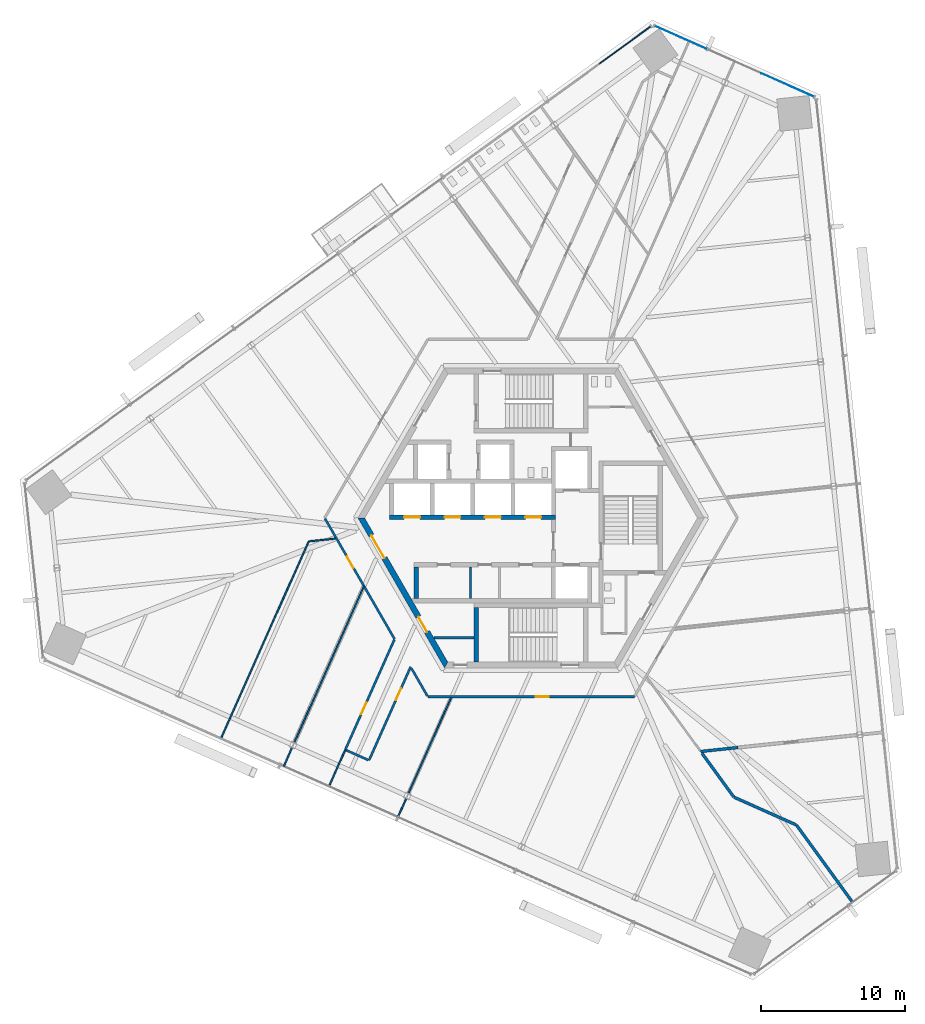
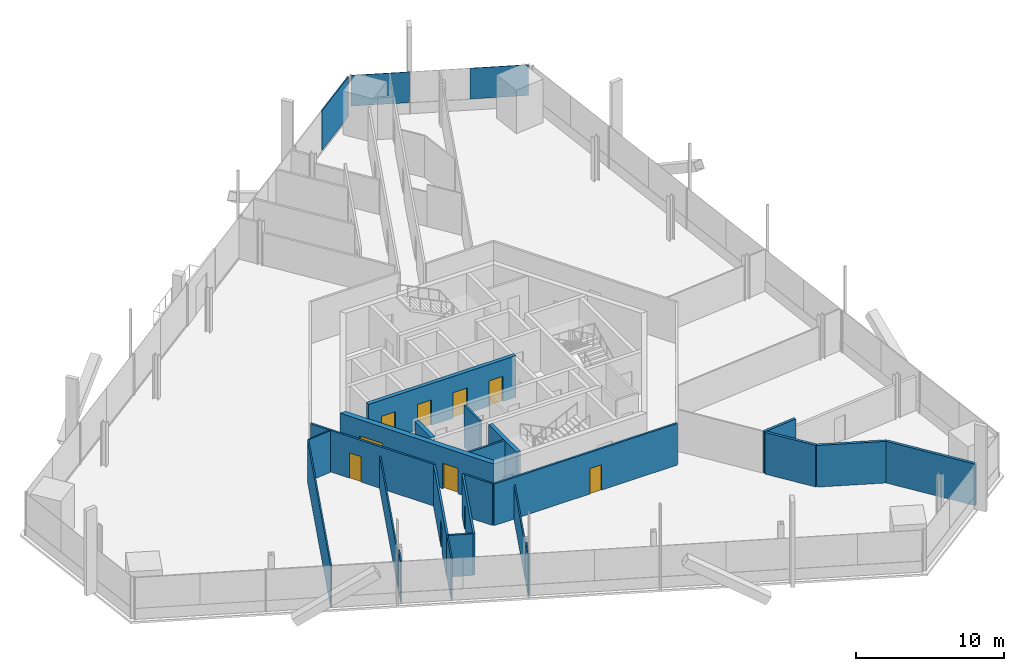
# One storey, part 11 of 21: 23 walls, 10 doors, 3 plates, 10 openings, 2 elements without a shape of their own.
"""IFC4 building model written with IfcOpenShell, lengths in metres."""

from ifc_helpers import new_model, si_unit, direction, frame, frame_2d, origin, origin_2d, place, context, subcontext, project, spatial, polyline, rectangle, outline, extrude, source, transform, mapped, material, layer, layer_set, type_object, element, fill, aggregate, save


model = new_model("IFC4")

# Units and contexts
model_context = context("Model", 3, precision=1e-05, world=origin(), true_north=direction((0.0, 1.0)))
body_context = subcontext(model_context, "Body", "Model", "MODEL_VIEW")
ifc_project = project(units=[si_unit("LENGTHUNIT", "METRE"), si_unit("AREAUNIT", "SQUARE_METRE"), si_unit("VOLUMEUNIT", "CUBIC_METRE"), si_unit("PLANEANGLEUNIT", "RADIAN"), si_unit("MASSUNIT", "GRAM", prefix="KILO")], contexts=[model_context])

# Site, building, storey
site_placement = place(None, origin())
site = spatial("IfcSite", under=ifc_project, at=site_placement, CompositionType="ELEMENT")
building_placement = place(site_placement, origin())
building = spatial("IfcBuilding", under=site, at=building_placement, Name="Triune Harvest Tower", CompositionType="ELEMENT")
storey_placement = place(building_placement, frame((0.0, 0.0, 65.699951171875)))
storey = spatial("IfcBuildingStorey", under=building, at=storey_placement, Name="L15", CompositionType="ELEMENT", Elevation=65.699951171875)

# Curtain wall, plates
ifc_material_1 = material(Name="Aluminium bronze anodised", Category="aluminium")
curtain_wall_type_1 = type_object("IfcCurtainWallType", Name="CW-1 Tower stick curtain wall", PredefinedType="NOTDEFINED", material=ifc_material_1)
curtain_wall_1_placement = place(storey_placement, origin())
curtain_wall_1 = element("IfcCurtainWall", 1, at=curtain_wall_1_placement, inside=storey, type_object=curtain_wall_type_1, Name="CW-1 B2-F2 L15 run 1")
ifc_material_2 = material(Name="Glass", Category="glass")
ifc_layer_1 = layer(ifc_material_2, 0.031982421875)
ifc_layer_set_1 = layer_set([ifc_layer_1], Name="Glass")
plate_type_1 = type_object("IfcPlateType", Name="GL-1 panel 32", PredefinedType="CURTAIN_PANEL", material=ifc_layer_set_1)
shared_shape_1 = source(origin(), body_context, "Body", "SweptSolid", [
    extrude(rectangle(XDim=3.99853515625, YDim=0.031982421875, at=origin_2d()), origin(), (0.0, 0.0, 1.0), 2.5400390625),
])
plate_1_placement = place(storey_placement, frame((17.783203125, 30.018798828125, 0.900146484375), z_axis=(0.0, 0.0, 1.0), x_axis=(-0.913546644034, 0.406733978386, 0.0)))
plate_1 = element("IfcPlate", 2, at=plate_1_placement, type_object=plate_type_1, Name="CW-1 panel B2-F2 1.1", PredefinedType="CURTAIN_PANEL", context=body_context, shape_type="MappedRepresentation", body=[
    mapped(shared_shape_1, transform((0.0, 0.0, 0.0), scale=1.0)),
])
shared_shape_2 = source(origin(), body_context, "Body", "SweptSolid", [
    extrude(rectangle(XDim=3.9609375, YDim=0.031982421875, at=origin_2d()), origin(), (0.0, 0.0, 1.0), 2.5400390625),
])
plate_2_placement = place(storey_placement, frame((10.39208984375, 33.3095703125, 0.900146484375), z_axis=(0.0, 0.0, 1.0), x_axis=(-0.913546644034, 0.406733978386, 0.0)))
plate_2 = element("IfcPlate", 3, at=plate_2_placement, type_object=plate_type_1, Name="CW-1 panel B2-F2 1.3", PredefinedType="CURTAIN_PANEL", context=body_context, shape_type="MappedRepresentation", body=[
    mapped(shared_shape_2, transform((0.0, 0.0, 0.0), scale=1.0)),
])
aggregate(curtain_wall_1, [plate_1, plate_2])

# Curtain wall, plate
ifc_material_3 = material(Name="Aluminium bronze anodised", Category="aluminium")
curtain_wall_type_2 = type_object("IfcCurtainWallType", Name="CW-10 Balcony window wall with insulated spandrel infill", PredefinedType="NOTDEFINED", material=ifc_material_3)
curtain_wall_2_placement = place(storey_placement, origin())
curtain_wall_2 = element("IfcCurtainWall", 4, at=curtain_wall_2_placement, inside=storey, type_object=curtain_wall_type_2, Name="CW-10 B2-F3 L15 run 1")
ifc_material_4 = material(Name="Insulated spandrel panel, bronze aluminium pan", Category="aluminium")
ifc_layer_2 = layer(ifc_material_4, 0.080078125)
ifc_layer_set_2 = layer_set([ifc_layer_2], Name="Insulated spandrel panel, bronze aluminium pan")
plate_type_2 = type_object("IfcPlateType", Name="SP-1 insulated spandrel panel 80", PredefinedType="CURTAIN_PANEL", material=ifc_layer_set_2)
shared_shape_3 = source(origin(), body_context, "Body", "SweptSolid", [
    extrude(rectangle(XDim=4.392578125, YDim=0.080078125, at=origin_2d()), origin(), (0.0, 0.0, 1.0), 3.2900390625),
])
plate_3_placement = place(storey_placement, frame((6.521728515625, 32.794189453125, 0.150146484375), z_axis=(0.0, 0.0, 1.0), x_axis=(-0.809017213554, -0.587784950618, 0.0)))
plate_3 = element("IfcPlate", 5, at=plate_3_placement, type_object=plate_type_2, Name="CW-10 panel B2-F3 1.1", PredefinedType="CURTAIN_PANEL", context=body_context, shape_type="MappedRepresentation", body=[
    mapped(shared_shape_3, transform((0.0, 0.0, 0.0), scale=1.0)),
])
aggregate(curtain_wall_2, [plate_3])

# Walls
ifc_material_5 = material(Name="Gypsum board on steel studs", Category="steel")
ifc_layer_3 = layer(ifc_material_5, 0.199951171875)
ifc_layer_set_3 = layer_set([ifc_layer_3], Name="Gypsum board on steel studs")
wall_type_1 = type_object("IfcWallType", Name="Fire Wall 200 mm", PredefinedType="PARTITIONING", material=ifc_layer_set_3)
wall_1_placement = place(storey_placement, frame((18.39404296875, -21.2802734375, 0.0), z_axis=(0.0, 0.0, 1.0), x_axis=(0.587779631491, -0.809021078096, 0.0)))
element("IfcWall", 6, at=wall_1_placement, inside=storey, type_object=wall_type_1, Name="Partition L15 007", PredefinedType="PARTITIONING", context=body_context, shape_type="SweptSolid", body=[
    extrude(rectangle(XDim=6.628662109375, YDim=0.199951171875, at=frame_2d((3.314453125, 0.0))), origin(), (0.0, 0.0, 1.0), 3.43994140625),
])
wall_2_placement = place(storey_placement, frame((14.05859375, -19.349853515625, 0.0), z_axis=(0.0, 0.0, 1.0), x_axis=(0.913535942724, -0.40675801326, 0.0)))
element("IfcWall", 7, at=wall_2_placement, inside=storey, type_object=wall_type_1, Name="Partition L15 017", PredefinedType="PARTITIONING", context=body_context, shape_type="SweptSolid", body=[
    extrude(rectangle(XDim=4.7158203125, YDim=0.199951171875, at=frame_2d((2.35791015625, 0.0))), origin(), (0.0, 0.0, 1.0), 3.43994140625),
])
ifc_material_6 = material(Name="Gypsum board on steel studs", Category="steel")
ifc_layer_4 = layer(ifc_material_6, 0.10009765625)
ifc_layer_set_4 = layer_set([ifc_layer_4], Name="Gypsum board on steel studs")
wall_type_2 = type_object("IfcWallType", Name="Partition 100 mm", PredefinedType="PARTITIONING", material=ifc_layer_set_4)
wall_3_placement = place(storey_placement, frame((-15.398681640625, -1.618408203125, 0.0), z_axis=(0.0, 0.0, 1.0), x_axis=(0.994523629402, 0.104511963725, 0.0)))
element("IfcWall", 8, at=wall_3_placement, inside=storey, type_object=wall_type_2, Name="Partition L15 026", PredefinedType="PARTITIONING", context=body_context, shape_type="SweptSolid", body=[
    extrude(rectangle(XDim=1.83837890625, YDim=0.10009765625, at=frame_2d((0.919189453125, 0.0))), origin(), (0.0, 0.0, 1.0), 3.43994140625),
])
wall_4_placement = place(storey_placement, frame((-21.497802734375, -15.2744140625, 0.0), z_axis=(0.0, 0.0, 1.0), x_axis=(0.406738559064, 0.913544604587, 0.0)))
element("IfcWall", 9, at=wall_4_placement, inside=storey, type_object=wall_type_2, Name="Partition L15 045", PredefinedType="PARTITIONING", context=body_context, shape_type="SweptSolid", body=[
    extrude(rectangle(XDim=14.946044921875, YDim=0.10009765625, at=frame_2d((7.47314453125, 0.0))), origin(), (0.0, 0.0, 1.0), 3.43994140625),
])

# Wall, openings, doors
ifc_material_7 = material(Name="Concrete 70 MPa", Category="concrete")
ifc_layer_5 = layer(ifc_material_7, 0.39990234375)
ifc_layer_set_5 = layer_set([ifc_layer_5], Name="Concrete 70 MPa")
wall_type_3 = type_object("IfcWallType", Name="Core wall 400", PredefinedType="SHEAR", material=ifc_layer_set_5)
shared_shape_4 = source(origin(), body_context, "Body", "SweptSolid", [
    extrude(outline(polyline([(-0.115478515625, -0.199951171875), (11.884521484375, -0.199951171875), (11.653564453125, 0.199951171875), (0.115478515625, 0.199951171875), (-0.115478515625, -0.199951171875)])), origin(), (0.0, 0.0, 1.0), 3.43994140625),
])
wall_5_placement = place(storey_placement, frame((-11.76904296875, 0.0, 0.0), z_axis=(0.0, 0.0, 1.0), x_axis=(0.499996592174, -0.866027371285, 0.0)))
wall_5 = element("IfcWall", 10, at=wall_5_placement, inside=storey, type_object=wall_type_3, Name="Hexagon 3 wall", PredefinedType="SHEAR", context=body_context, shape_type="MappedRepresentation", body=[
    mapped(shared_shape_4, transform((0.0, 0.0, 0.0), scale=1.0)),
])
opening_1_placement = place(wall_5_placement, frame((1.404541015625, 0.0, 0.0)))
opening_1 = element("IfcOpeningElement", 11, at=opening_1_placement, cuts=wall_5, Name="Opening CD-LS", PredefinedType="OPENING", context=body_context, shape_type="SweptSolid", body=[
    extrude(rectangle(XDim=1.800048828125, YDim=2.10009765625, at=frame_2d((0.89990234375, 1.050048828125))), frame((0.0, 0.2099609375, 0.0), z_axis=(0.0, -1.0, 0.0), x_axis=(1.0, 0.0, 0.0)), (0.0, 0.0, 1.0), 0.419921875),
])
opening_2_placement = place(wall_5_placement, frame((7.91455078125, 0.0, 0.0)))
opening_2 = element("IfcOpeningElement", 12, at=opening_2_placement, cuts=wall_5, Name="Opening CD-SWP", PredefinedType="OPENING", context=body_context, shape_type="SweptSolid", body=[
    extrude(rectangle(XDim=1.199951171875, YDim=2.10009765625, at=frame_2d((0.60009765625, 1.050048828125))), frame((0.0, 0.2099609375, 0.0), z_axis=(0.0, -1.0, 0.0), x_axis=(1.0, 0.0, 0.0)), (0.0, 0.0, 1.0), 0.419921875),
])
ifc_material_8 = material(Name="Steel S235", Category="steel")
door_type_1 = type_object("IfcDoorType", Name="Lobby door 1800 FD120", OperationType="DOUBLE_DOOR_DOUBLE_SWING", PredefinedType="DOOR", material=ifc_material_8)
door_1_placement = place(opening_1_placement, frame((1.800048828125, 0.0, 0.0), z_axis=(0.0, 0.0, 1.0), x_axis=(-1.0, 0.0, 0.0)))
door_1 = element("IfcDoor", 13, at=door_1_placement, inside=storey, type_object=door_type_1, Name="Door CD-LS", OperationType="DOUBLE_DOOR_DOUBLE_SWING", OverallHeight=2.10009765625, OverallWidth=1.800048828125, PredefinedType="DOOR", context=body_context, shape_type="SweptSolid", body=[
    extrude(rectangle(XDim=1.800048828125, YDim=2.10009765625, at=frame_2d((0.89990234375, 1.050048828125))), frame((0.0, 0.02490234375, 0.0), z_axis=(0.0, -1.0, 0.0), x_axis=(1.0, 0.0, 0.0)), (0.0, 0.0, 1.0), 0.050048828125),
])
fill(opening_1, door_1)
ifc_material_9 = material(Name="Steel S235", Category="steel")
door_type_2 = type_object("IfcDoorType", Name="Service door 1200 FD120", OperationType="SINGLE_SWING_LEFT", PredefinedType="DOOR", material=ifc_material_9)
door_2_placement = place(opening_2_placement, frame((1.199951171875, 0.0, 0.0), z_axis=(0.0, 0.0, 1.0), x_axis=(-1.0, 0.0, 0.0)))
door_2 = element("IfcDoor", 14, at=door_2_placement, inside=storey, type_object=door_type_2, Name="Door CD-SWP", OperationType="SINGLE_SWING_RIGHT", OverallHeight=2.10009765625, OverallWidth=1.199951171875, PredefinedType="DOOR", context=body_context, shape_type="SweptSolid", body=[
    extrude(rectangle(XDim=1.199951171875, YDim=2.10009765625, at=frame_2d((0.60009765625, 1.050048828125))), frame((0.0, 0.02490234375, 0.0), z_axis=(0.0, -1.0, 0.0), x_axis=(1.0, 0.0, 0.0)), (0.0, 0.0, 1.0), 0.050048828125),
])
fill(opening_2, door_2)

ifc_material_10 = material(Name="Concrete 70 MPa", Category="concrete")
ifc_layer_6 = layer(ifc_material_10, 0.300048828125)
ifc_layer_set_6 = layer_set([ifc_layer_6], Name="Concrete 70 MPa")
wall_type_4 = type_object("IfcWallType", Name="Core wall 300", PredefinedType="SHEAR", material=ifc_layer_set_6)
shared_shape_5 = source(origin(), body_context, "Body", "SweptSolid", [
    extrude(rectangle(XDim=11.5, YDim=0.300048828125, at=frame_2d((5.75, 0.0))), origin(), (0.0, 0.0, 1.0), 3.43994140625),
])
wall_6_placement = place(storey_placement, frame((-9.800048828125, 0.06005859375, 0.0), z_axis=(0.0, 0.0, 1.0), x_axis=(1.0, 0.0, 0.0)))
wall_6 = element("IfcWall", 15, at=wall_6_placement, inside=storey, type_object=wall_type_4, Name="North front wall", PredefinedType="SHEAR", context=body_context, shape_type="MappedRepresentation", body=[
    mapped(shared_shape_5, transform((0.0, 0.0, 0.0), scale=1.0)),
])
opening_3_placement = place(wall_6_placement, frame((1.0, 0.0, 0.0)))
opening_3 = element("IfcOpeningElement", 16, at=opening_3_placement, cuts=wall_6, Name="Opening LD-LR1-15", PredefinedType="OPENING", context=body_context, shape_type="SweptSolid", body=[
    extrude(rectangle(XDim=1.10009765625, YDim=2.10009765625, at=frame_2d((0.550048828125, 1.050048828125))), frame((0.0, 0.16015625, 0.0), z_axis=(0.0, -1.0, 0.0), x_axis=(1.0, 0.0, 0.0)), (0.0, 0.0, 1.0), 0.320068359375),
])
opening_4_placement = place(wall_6_placement, frame((3.800048828125, 0.0, 0.0)))
opening_4 = element("IfcOpeningElement", 17, at=opening_4_placement, cuts=wall_6, Name="Opening LD-LR2-15", PredefinedType="OPENING", context=body_context, shape_type="SweptSolid", body=[
    extrude(rectangle(XDim=1.10009765625, YDim=2.10009765625, at=frame_2d((0.550048828125, 1.050048828125))), frame((0.0, 0.16015625, 0.0), z_axis=(0.0, -1.0, 0.0), x_axis=(1.0, 0.0, 0.0)), (0.0, 0.0, 1.0), 0.320068359375),
])
opening_5_placement = place(wall_6_placement, frame((6.60009765625, 0.0, 0.0)))
opening_5 = element("IfcOpeningElement", 18, at=opening_5_placement, cuts=wall_6, Name="Opening LD-LR3-15", PredefinedType="OPENING", context=body_context, shape_type="SweptSolid", body=[
    extrude(rectangle(XDim=1.10009765625, YDim=2.10009765625, at=frame_2d((0.550048828125, 1.050048828125))), frame((0.0, 0.16015625, 0.0), z_axis=(0.0, -1.0, 0.0), x_axis=(1.0, 0.0, 0.0)), (0.0, 0.0, 1.0), 0.320068359375),
])
opening_6_placement = place(wall_6_placement, frame((9.39990234375, 0.0, 0.0)))
opening_6 = element("IfcOpeningElement", 19, at=opening_6_placement, cuts=wall_6, Name="Opening LD-LR4-15", PredefinedType="OPENING", context=body_context, shape_type="SweptSolid", body=[
    extrude(rectangle(XDim=1.10009765625, YDim=2.10009765625, at=frame_2d((0.550048828125, 1.050048828125))), frame((0.0, 0.16015625, 0.0), z_axis=(0.0, -1.0, 0.0), x_axis=(1.0, 0.0, 0.0)), (0.0, 0.0, 1.0), 0.320068359375),
])
ifc_material_11 = material(Name="Stainless steel AISI 304", Category="steel")
door_type_3 = type_object("IfcDoorType", Name="Landing door 1100 x 2100", OperationType="DOUBLE_DOOR_SLIDING", PredefinedType="DOOR", material=ifc_material_11)
door_3_placement = place(opening_3_placement, origin())
door_3 = element("IfcDoor", 20, at=door_3_placement, inside=storey, type_object=door_type_3, Name="Door LD-LR1-15", OperationType="DOUBLE_DOOR_SLIDING", OverallHeight=2.10009765625, OverallWidth=1.10009765625, PredefinedType="DOOR", context=body_context, shape_type="SweptSolid", body=[
    extrude(rectangle(XDim=1.10009765625, YDim=2.10009765625, at=frame_2d((0.550048828125, 1.050048828125))), frame((0.0, 0.02490234375, 0.0), z_axis=(0.0, -1.0, 0.0), x_axis=(1.0, 0.0, 0.0)), (0.0, 0.0, 1.0), 0.050048828125),
])
fill(opening_3, door_3)
door_4_placement = place(opening_4_placement, origin())
door_4 = element("IfcDoor", 21, at=door_4_placement, inside=storey, type_object=door_type_3, Name="Door LD-LR2-15", OperationType="DOUBLE_DOOR_SLIDING", OverallHeight=2.10009765625, OverallWidth=1.10009765625, PredefinedType="DOOR", context=body_context, shape_type="SweptSolid", body=[
    extrude(rectangle(XDim=1.10009765625, YDim=2.10009765625, at=frame_2d((0.550048828125, 1.050048828125))), frame((0.0, 0.02490234375, 0.0), z_axis=(0.0, -1.0, 0.0), x_axis=(1.0, 0.0, 0.0)), (0.0, 0.0, 1.0), 0.050048828125),
])
fill(opening_4, door_4)
door_5_placement = place(opening_5_placement, origin())
door_5 = element("IfcDoor", 22, at=door_5_placement, inside=storey, type_object=door_type_3, Name="Door LD-LR3-15", OperationType="DOUBLE_DOOR_SLIDING", OverallHeight=2.10009765625, OverallWidth=1.10009765625, PredefinedType="DOOR", context=body_context, shape_type="SweptSolid", body=[
    extrude(rectangle(XDim=1.10009765625, YDim=2.10009765625, at=frame_2d((0.550048828125, 1.050048828125))), frame((0.0, 0.02490234375, 0.0), z_axis=(0.0, -1.0, 0.0), x_axis=(1.0, 0.0, 0.0)), (0.0, 0.0, 1.0), 0.050048828125),
])
fill(opening_5, door_5)
door_6_placement = place(opening_6_placement, origin())
door_6 = element("IfcDoor", 23, at=door_6_placement, inside=storey, type_object=door_type_3, Name="Door LD-LR4-15", OperationType="DOUBLE_DOOR_SLIDING", OverallHeight=2.10009765625, OverallWidth=1.10009765625, PredefinedType="DOOR", context=body_context, shape_type="SweptSolid", body=[
    extrude(rectangle(XDim=1.10009765625, YDim=2.10009765625, at=frame_2d((0.550048828125, 1.050048828125))), frame((0.0, 0.02490234375, 0.0), z_axis=(0.0, -1.0, 0.0), x_axis=(1.0, 0.0, 0.0)), (0.0, 0.0, 1.0), 0.050048828125),
])
fill(opening_6, door_6)

# Walls
shared_shape_6 = source(origin(), body_context, "Body", "SweptSolid", [
    extrude(rectangle(XDim=2.2001953125, YDim=0.300048828125, at=frame_2d((1.10009765625, 0.0))), origin(), (0.0, 0.0, 1.0), 3.43994140625),
])
wall_7_placement = place(storey_placement, frame((-7.949951171875, -5.590087890625, 0.0), z_axis=(0.0, 0.0, 1.0), x_axis=(0.0, 1.0, 0.0)))
element("IfcWall", 24, at=wall_7_placement, inside=storey, type_object=wall_type_4, Name="South end west wall", PredefinedType="SHEAR", context=body_context, shape_type="MappedRepresentation", body=[
    mapped(shared_shape_6, transform((0.0, 0.0, 0.0), scale=1.0)),
])
shared_shape_7 = source(origin(), body_context, "Body", "SweptSolid", [
    extrude(outline(polyline([(3.800048828125, -0.14990234375), (-0.00439453125, -0.14990234375), (-0.00439453125, 0.14990234375), (3.800048828125, 0.14990234375), (3.800048828125, -0.14990234375)])), origin(), (0.0, 0.0, 1.0), 3.43994140625),
])
wall_8_placement = place(storey_placement, frame((-3.800048828125, -9.989990234375, 0.0), z_axis=(0.0, 0.0, 1.0), x_axis=(0.0, 1.0, 0.0)))
element("IfcWall", 25, at=wall_8_placement, inside=storey, type_object=wall_type_4, Name="Stair s west wall", PredefinedType="SHEAR", context=body_context, shape_type="MappedRepresentation", body=[
    mapped(shared_shape_7, transform((0.0, 0.0, 0.0), scale=1.0)),
])
ifc_material_12 = material(Name="Concrete masonry unit", Category="masonry")
ifc_layer_7 = layer(ifc_material_12, 0.14990234375)
ifc_layer_set_7 = layer_set([ifc_layer_7], Name="Concrete masonry unit")
wall_type_5 = type_object("IfcWallType", Name="Block partition 150", PredefinedType="PARTITIONING", material=ifc_layer_set_7)
shared_shape_8 = source(origin(), body_context, "Body", "SweptSolid", [
    extrude(rectangle(XDim=2.2001953125, YDim=0.14990234375, at=frame_2d((1.10009765625, 0.0))), origin(), (0.0, 0.0, 1.0), 3.43994140625),
])
wall_9_placement = place(storey_placement, frame((-4.199951171875, -5.590087890625, 0.0), z_axis=(0.0, 0.0, 1.0), x_axis=(0.0, 1.0, 0.0)))
element("IfcWall", 26, at=wall_9_placement, inside=storey, type_object=wall_type_5, Name="Row s part 1 wall", PredefinedType="PARTITIONING", context=body_context, shape_type="MappedRepresentation", body=[
    mapped(shared_shape_8, transform((0.0, 0.0, 0.0), scale=1.0)),
])
shared_shape_9 = source(origin(), body_context, "Body", "SweptSolid", [
    extrude(rectangle(XDim=2.777099609375, YDim=0.14990234375, at=frame_2d((1.388671875, 0.0))), origin(), (0.0, 0.0, 1.0), 3.43994140625),
])
wall_10_placement = place(storey_placement, frame((-6.72705078125, -8.300048828125, 0.0), z_axis=(0.0, 0.0, 1.0), x_axis=(1.0, 0.0, 0.0)))
element("IfcWall", 27, at=wall_10_placement, inside=storey, type_object=wall_type_5, Name="Sw part wall", PredefinedType="PARTITIONING", context=body_context, shape_type="MappedRepresentation", body=[
    mapped(shared_shape_9, transform((0.0, 0.0, 0.0), scale=1.0)),
])

# Wall, opening, door
ifc_material_13 = material(Name="Gypsum board on steel studs", Category="steel")
ifc_layer_8 = layer(ifc_material_13, 0.14990234375)
ifc_layer_set_8 = layer_set([ifc_layer_8], Name="Gypsum board on steel studs")
wall_type_6 = type_object("IfcWallType", Name="Fire Partition 150 mm", PredefinedType="PARTITIONING", material=ifc_layer_set_8)
shared_shape_10 = source(origin(), body_context, "Body", "SweptSolid", [
    extrude(rectangle(XDim=9.642578125, YDim=0.14990234375, at=frame_2d((4.8212890625, 0.0))), origin(), (0.0, 0.0, 1.0), 3.43994140625),
])
wall_11_placement = place(storey_placement, frame((-14.284423828125, -0.04296875, 0.0), z_axis=(0.0, 0.0, 1.0), x_axis=(0.499994949703, -0.866028319555, 0.0)))
wall_11 = element("IfcWall", 28, at=wall_11_placement, inside=storey, type_object=wall_type_6, Name="Partition L15 002", PredefinedType="PARTITIONING", context=body_context, shape_type="MappedRepresentation", body=[
    mapped(shared_shape_10, transform((0.0, 0.0, 0.0), scale=1.0)),
])
opening_7_placement = place(wall_11_placement, frame((3.03759765625, 0.0, 0.0)))
opening_7 = element("IfcOpeningElement", 29, at=opening_7_placement, cuts=wall_11, Name="Opening L15-014", PredefinedType="OPENING", context=body_context, shape_type="SweptSolid", body=[
    extrude(rectangle(XDim=0.89990234375, YDim=2.10009765625, at=frame_2d((0.449951171875, 1.050048828125))), frame((0.0, 0.0849609375, 0.0), z_axis=(0.0, -1.0, 0.0), x_axis=(1.0, 0.0, 0.0)), (0.0, 0.0, 1.0), 0.169921875),
])
ifc_material_14 = material(Name="Timber and steel door set", Category="steel")
door_type_4 = type_object("IfcDoorType", Name="Single leaf door FD30 right hand 900 x 2100", OperationType="SINGLE_SWING_RIGHT", PredefinedType="DOOR", material=ifc_material_14)
door_7_placement = place(opening_7_placement, origin())
door_7 = element("IfcDoor", 30, at=door_7_placement, inside=storey, type_object=door_type_4, Name="Door L15-014 Open Office 15.14", OperationType="SINGLE_SWING_RIGHT", OverallHeight=2.10009765625, OverallWidth=0.89990234375, PredefinedType="DOOR", context=body_context, shape_type="SweptSolid", body=[
    extrude(rectangle(XDim=0.89990234375, YDim=2.10009765625, at=frame_2d((0.449951171875, 1.050048828125))), frame((0.0, 0.02490234375, 0.0), z_axis=(0.0, -1.0, 0.0), x_axis=(1.0, 0.0, 0.0)), (0.0, 0.0, 1.0), 0.050048828125),
])
fill(opening_7, door_7)

# Walls
shared_shape_11 = source(origin(), body_context, "Body", "SweptSolid", [
    extrude(rectangle(XDim=2.222412109375, YDim=0.14990234375, at=frame_2d((1.111328125, 0.0))), origin(), (0.0, 0.0, 1.0), 3.43994140625),
])
wall_12_placement = place(storey_placement, frame((-8.290771484375, -10.424560546875, 0.0), z_axis=(0.0, 0.0, 1.0), x_axis=(0.50006161342, -0.865989828337, 0.0)))
element("IfcWall", 31, at=wall_12_placement, inside=storey, type_object=wall_type_6, Name="Partition L15 003", PredefinedType="PARTITIONING", context=body_context, shape_type="MappedRepresentation", body=[
    mapped(shared_shape_11, transform((0.0, 0.0, 0.0), scale=1.0)),
])
shared_shape_12 = source(origin(), body_context, "Body", "SweptSolid", [
    extrude(rectangle(XDim=3.733154296875, YDim=0.199951171875, at=frame_2d((1.86669921875, 0.0))), origin(), (0.0, 0.0, 1.0), 3.43994140625),
])
wall_13_placement = place(storey_placement, frame((11.8466796875, -16.305419921875, 0.0), z_axis=(0.0, 0.0, 1.0), x_axis=(0.587782786269, -0.80901878604, 0.0)))
element("IfcWall", 32, at=wall_13_placement, inside=storey, type_object=wall_type_1, Name="Partition L15 006", PredefinedType="PARTITIONING", context=body_context, shape_type="MappedRepresentation", body=[
    mapped(shared_shape_12, transform((0.0, 0.0, 0.0), scale=1.0)),
])

# Wall, opening, door
shared_shape_13 = source(origin(), body_context, "Body", "SweptSolid", [
    extrude(rectangle(XDim=14.3095703125, YDim=0.14990234375, at=frame_2d((7.15478515625, 0.0))), origin(), (0.0, 0.0, 1.0), 3.43994140625),
])
wall_14_placement = place(storey_placement, frame((-7.15478515625, -12.392333984375, 0.0), z_axis=(0.0, 0.0, 1.0), x_axis=(1.0, 0.0, 0.0)))
wall_14 = element("IfcWall", 33, at=wall_14_placement, inside=storey, type_object=wall_type_6, Name="Partition L15 019", PredefinedType="PARTITIONING", context=body_context, shape_type="MappedRepresentation", body=[
    mapped(shared_shape_13, transform((0.0, 0.0, 0.0), scale=1.0)),
])
opening_8_placement = place(wall_14_placement, frame((7.4873046875, 0.0, 0.0)))
opening_8 = element("IfcOpeningElement", 34, at=opening_8_placement, cuts=wall_14, Name="Opening L15-017", PredefinedType="OPENING", context=body_context, shape_type="SweptSolid", body=[
    extrude(rectangle(XDim=0.89990234375, YDim=2.10009765625, at=frame_2d((0.449951171875, 1.050048828125))), frame((0.0, 0.0849609375, 0.0), z_axis=(0.0, -1.0, 0.0), x_axis=(1.0, 0.0, 0.0)), (0.0, 0.0, 1.0), 0.169921875),
])
ifc_material_15 = material(Name="Timber and steel door set", Category="steel")
door_type_5 = type_object("IfcDoorType", Name="Single leaf door FD30 left hand 900 x 2100", OperationType="SINGLE_SWING_LEFT", PredefinedType="DOOR", material=ifc_material_15)
door_8_placement = place(opening_8_placement, origin())
door_8 = element("IfcDoor", 35, at=door_8_placement, inside=storey, type_object=door_type_5, Name="Door L15-017 Food Laboratory 15.17", OperationType="SINGLE_SWING_LEFT", OverallHeight=2.10009765625, OverallWidth=0.89990234375, PredefinedType="DOOR", context=body_context, shape_type="SweptSolid", body=[
    extrude(rectangle(XDim=0.89990234375, YDim=2.10009765625, at=frame_2d((0.449951171875, 1.050048828125))), frame((0.0, 0.02490234375, 0.0), z_axis=(0.0, -1.0, 0.0), x_axis=(1.0, 0.0, 0.0)), (0.0, 0.0, 1.0), 0.050048828125),
])
fill(opening_8, door_8)

# Walls
shared_shape_14 = source(origin(), body_context, "Body", "SweptSolid", [
    extrude(rectangle(XDim=2.61181640625, YDim=0.199951171875, at=frame_2d((1.305908203125, 0.0))), origin(), (0.0, 0.0, 1.0), 3.43994140625),
])
wall_15_placement = place(storey_placement, frame((11.75830078125, -16.18408203125, 0.0), z_axis=(0.0, 0.0, 1.0), x_axis=(0.994514157036, 0.104602062386, 0.0)))
element("IfcWall", 36, at=wall_15_placement, inside=storey, type_object=wall_type_1, Name="Partition L15 022", PredefinedType="PARTITIONING", context=body_context, shape_type="MappedRepresentation", body=[
    mapped(shared_shape_14, transform((0.0, 0.0, 0.0), scale=1.0)),
])
shared_shape_15 = source(origin(), body_context, "Body", "SweptSolid", [
    extrude(rectangle(XDim=1.418212890625, YDim=0.10009765625, at=frame_2d((0.708984375, 0.0))), origin(), (0.0, 0.0, 1.0), 3.43994140625),
])
wall_16_placement = place(storey_placement, frame((-17.145263671875, -17.212158203125, 0.0), z_axis=(0.0, 0.0, 1.0), x_axis=(0.40676126154, 0.913534496399, 0.0)))
element("IfcWall", 37, at=wall_16_placement, inside=storey, type_object=wall_type_2, Name="Partition L15 043", PredefinedType="PARTITIONING", context=body_context, shape_type="MappedRepresentation", body=[
    mapped(shared_shape_15, transform((0.0, 0.0, 0.0), scale=1.0)),
])
shared_shape_16 = source(origin(), body_context, "Body", "SweptSolid", [
    extrude(rectangle(XDim=1.41845703125, YDim=0.10009765625, at=frame_2d((0.709228515625, 0.0))), origin(), (0.0, 0.0, 1.0), 3.43994140625),
])
wall_17_placement = place(storey_placement, frame((-9.23193359375, -20.735595703125, 0.0), z_axis=(0.0, 0.0, 1.0), x_axis=(0.406697305895, 0.913562970669, 0.0)))
element("IfcWall", 38, at=wall_17_placement, inside=storey, type_object=wall_type_2, Name="Partition L15 032", PredefinedType="PARTITIONING", context=body_context, shape_type="MappedRepresentation", body=[
    mapped(shared_shape_16, transform((0.0, 0.0, 0.0), scale=1.0)),
])
shared_shape_17 = source(origin(), body_context, "Body", "SweptSolid", [
    extrude(rectangle(XDim=7.2607421875, YDim=0.10009765625, at=frame_2d((3.63037109375, 0.0))), origin(), (0.0, 0.0, 1.0), 2.827880859375),
])
wall_18_placement = place(storey_placement, frame((-8.503173828125, -19.098388671875, 0.0), z_axis=(0.0, 0.0, 1.0), x_axis=(0.406752970656, 0.913538187961, 0.0)))
element("IfcWall", 39, at=wall_18_placement, inside=storey, type_object=wall_type_2, Name="Partition L15 033", PredefinedType="PARTITIONING", context=body_context, shape_type="MappedRepresentation", body=[
    mapped(shared_shape_17, transform((0.0, 0.0, 0.0), scale=1.0)),
])
shared_shape_18 = source(origin(), body_context, "Body", "SweptSolid", [
    extrude(rectangle(XDim=2.779296875, YDim=0.10009765625, at=frame_2d((1.3896484375, 0.0))), origin(), (0.0, 0.0, 1.0), 3.43994140625),
])
wall_19_placement = place(storey_placement, frame((-14.0107421875, -18.60791015625, 0.0), z_axis=(0.0, 0.0, 1.0), x_axis=(0.406708907734, 0.913557805708, 0.0)))
element("IfcWall", 40, at=wall_19_placement, inside=storey, type_object=wall_type_2, Name="Partition L15 039", PredefinedType="PARTITIONING", context=body_context, shape_type="MappedRepresentation", body=[
    mapped(shared_shape_18, transform((0.0, 0.0, 0.0), scale=1.0)),
])

# Wall, opening, door
shared_shape_19 = source(origin(), body_context, "Body", "SweptSolid", [
    extrude(rectangle(XDim=8.3603515625, YDim=0.14990234375, at=frame_2d((4.18017578125, 0.0))), origin(), (0.0, 0.0, 1.0), 3.43994140625),
])
wall_20_placement = place(storey_placement, frame((-12.8798828125, -16.068115234375, 0.0), z_axis=(0.0, 0.0, 1.0), x_axis=(0.406723624332, 0.913551253849, 0.0)))
wall_20 = element("IfcWall", 41, at=wall_20_placement, inside=storey, type_object=wall_type_6, Name="Partition L15 040", PredefinedType="PARTITIONING", context=body_context, shape_type="MappedRepresentation", body=[
    mapped(shared_shape_19, transform((0.0, 0.0, 0.0), scale=1.0)),
])
opening_9_placement = place(wall_20_placement, frame((2.6923828125, 0.0, 0.0)))
opening_9 = element("IfcOpeningElement", 42, at=opening_9_placement, cuts=wall_20, Name="Opening L15-015", PredefinedType="OPENING", context=body_context, shape_type="SweptSolid", body=[
    extrude(rectangle(XDim=0.89990234375, YDim=2.10009765625, at=frame_2d((0.449951171875, 1.050048828125))), frame((0.0, 0.0849609375, 0.0), z_axis=(0.0, -1.0, 0.0), x_axis=(1.0, 0.0, 0.0)), (0.0, 0.0, 1.0), 0.169921875),
])
door_9_placement = place(opening_9_placement, origin())
door_9 = element("IfcDoor", 43, at=door_9_placement, inside=storey, type_object=door_type_5, Name="Door L15-015 Office 15.15", OperationType="SINGLE_SWING_LEFT", OverallHeight=2.10009765625, OverallWidth=0.89990234375, PredefinedType="DOOR", context=body_context, shape_type="SweptSolid", body=[
    extrude(rectangle(XDim=0.89990234375, YDim=2.10009765625, at=frame_2d((0.449951171875, 1.050048828125))), frame((0.0, 0.02490234375, 0.0), z_axis=(0.0, -1.0, 0.0), x_axis=(1.0, 0.0, 0.0)), (0.0, 0.0, 1.0), 0.050048828125),
])
fill(opening_9, door_9)

# Walls
shared_shape_20 = source(origin(), body_context, "Body", "SweptSolid", [
    extrude(rectangle(XDim=11.881591796875, YDim=0.10009765625, at=frame_2d((5.94091796875, 0.0))), origin(), (0.0, 0.0, 1.0), 2.68310546875),
])
wall_21_placement = place(storey_placement, frame((-16.41650390625, -15.5751953125, 0.0), z_axis=(0.0, 0.0, 1.0), x_axis=(0.406746552883, 0.913541045448, 0.0)))
element("IfcWall", 44, at=wall_21_placement, inside=storey, type_object=wall_type_2, Name="Partition L15 044", PredefinedType="PARTITIONING", context=body_context, shape_type="MappedRepresentation", body=[
    mapped(shared_shape_20, transform((0.0, 0.0, 0.0), scale=1.0)),
])
shared_shape_21 = source(origin(), body_context, "Body", "SweptSolid", [
    extrude(rectangle(XDim=1.68994140625, YDim=0.14990234375, at=frame_2d((0.844970703125, 0.0))), origin(), (0.0, 0.0, 1.0), 3.43994140625),
])
wall_22_placement = place(storey_placement, frame((-12.8251953125, -16.09228515625, 0.0), z_axis=(0.0, 0.0, 1.0), x_axis=(0.913501485437, -0.406835391901, 0.0)))
element("IfcWall", 45, at=wall_22_placement, inside=storey, type_object=wall_type_6, Name="Partition L15 016", PredefinedType="PARTITIONING", context=body_context, shape_type="MappedRepresentation", body=[
    mapped(shared_shape_21, transform((0.0, 0.0, 0.0), scale=1.0)),
])

# Wall, opening, door
shared_shape_22 = source(origin(), body_context, "Body", "SweptSolid", [
    extrude(rectangle(XDim=7.0927734375, YDim=0.14990234375, at=frame_2d((3.54638671875, 0.0))), origin(), (0.0, 0.0, 1.0), 3.43994140625),
])
wall_23_placement = place(storey_placement, frame((-11.235595703125, -16.80029296875, 0.0), z_axis=(0.0, 0.0, 1.0), x_axis=(0.406754760693, 0.913537390944, 0.0)))
wall_23 = element("IfcWall", 46, at=wall_23_placement, inside=storey, type_object=wall_type_6, Name="Partition L15 036", PredefinedType="PARTITIONING", context=body_context, shape_type="MappedRepresentation", body=[
    mapped(shared_shape_22, transform((0.0, 0.0, 0.0), scale=1.0)),
])
opening_10_placement = place(wall_23_placement, frame((4.576171875, 0.0, 0.0)))
opening_10 = element("IfcOpeningElement", 47, at=opening_10_placement, cuts=wall_23, Name="Opening L15-016", PredefinedType="OPENING", context=body_context, shape_type="SweptSolid", body=[
    extrude(rectangle(XDim=0.89990234375, YDim=2.10009765625, at=frame_2d((0.449951171875, 1.050048828125))), frame((0.0, 0.0849609375, 0.0), z_axis=(0.0, -1.0, 0.0), x_axis=(1.0, 0.0, 0.0)), (0.0, 0.0, 1.0), 0.169921875),
])
door_10_placement = place(opening_10_placement, origin())
door_10 = element("IfcDoor", 48, at=door_10_placement, inside=storey, type_object=door_type_5, Name="Door L15-016 Meeting Room 15.16", OperationType="SINGLE_SWING_LEFT", OverallHeight=2.10009765625, OverallWidth=0.89990234375, PredefinedType="DOOR", context=body_context, shape_type="SweptSolid", body=[
    extrude(rectangle(XDim=0.89990234375, YDim=2.10009765625, at=frame_2d((0.449951171875, 1.050048828125))), frame((0.0, 0.02490234375, 0.0), z_axis=(0.0, -1.0, 0.0), x_axis=(1.0, 0.0, 0.0)), (0.0, 0.0, 1.0), 0.050048828125),
])
fill(opening_10, door_10)

save(model, "model.ifc")
